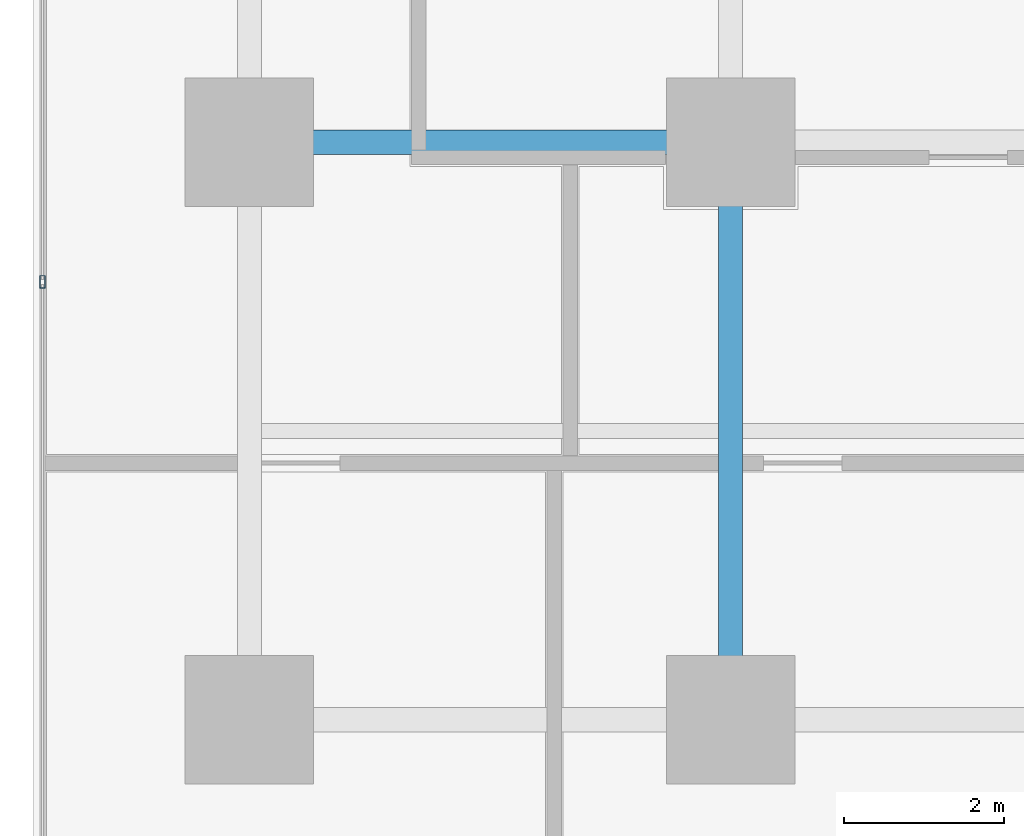
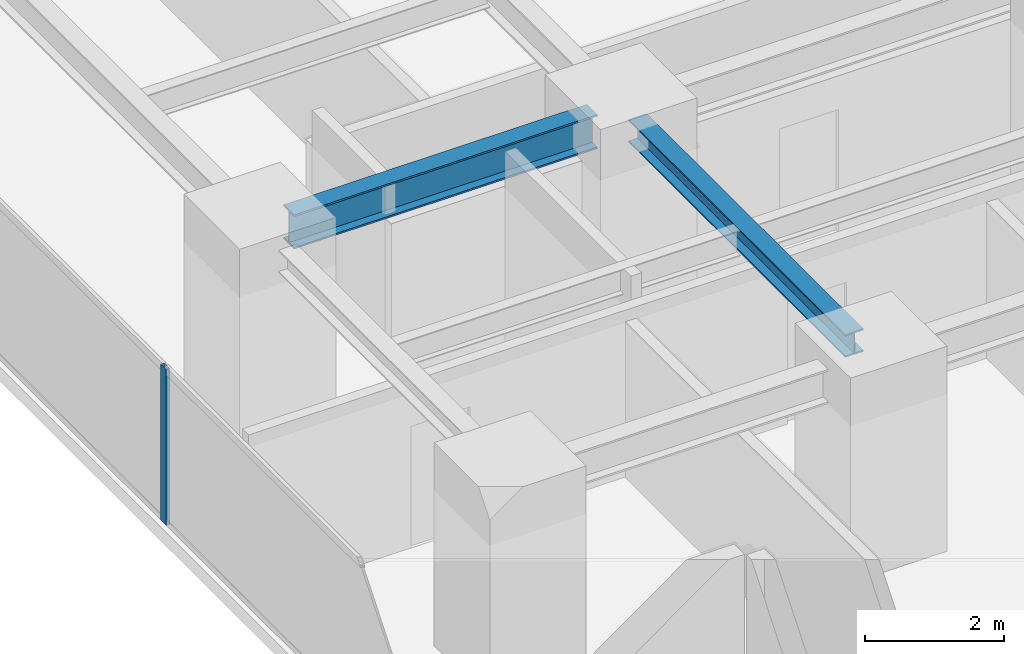
# One storey, part 4 of 36: 2 beams, 1 member, 1 element without a shape of its own.
"""IFC4 building model written with IfcOpenShell, lengths in metres."""

from ifc_helpers import new_model, si_unit, direction, frame, origin, origin_2d, place, context, subcontext, project, spatial, hollow_rectangle, i_section, extrude, source, transform, mapped, material, layer, layer_set, material_profile, profile_set, type_object, element, aggregate, save


model = new_model("IFC4")

# Units and contexts
model_context = context("Model", 3, precision=1e-05, world=origin(), true_north=direction((0.0, 1.0)))
body_context = subcontext(model_context, "Body", "Model", "MODEL_VIEW")
ifc_project = project(units=[si_unit("LENGTHUNIT", "METRE"), si_unit("AREAUNIT", "SQUARE_METRE"), si_unit("VOLUMEUNIT", "CUBIC_METRE"), si_unit("PLANEANGLEUNIT", "RADIAN"), si_unit("MASSUNIT", "GRAM", prefix="KILO")], contexts=[model_context])

# Site, building, storey
site_placement = place(None, origin())
site = spatial("IfcSite", under=ifc_project, at=site_placement, CompositionType="ELEMENT")
building_placement = place(site_placement, origin())
building = spatial("IfcBuilding", under=site, at=building_placement, Name="Sumidabori Civic Tower", CompositionType="ELEMENT")
storey_placement = place(building_placement, frame((0.0, 0.0, 113.60009765625)))
storey = spatial("IfcBuildingStorey", under=building, at=storey_placement, Name="L29", CompositionType="ELEMENT", Elevation=113.60009765625)

# Beams
ifc_material_1 = material(Name="Steel SN490", Category="steel")
ifc_material_profile_1 = material_profile(ifc_material_1, i_section(OverallWidth=0.300048828125, OverallDepth=0.60009765625, WebThickness=0.015380859375, FlangeThickness=0.030029296875, at=origin_2d()), Name="HE 600 B")
ifc_profile_set_1 = profile_set([ifc_material_profile_1], Name="Steel SN490")
beam_type_1 = type_object("IfcBeamType", Name="BM-GIRD-600", PredefinedType="BEAM", material=ifc_profile_set_1)
shared_shape_1 = source(origin(), body_context, "Body", "SweptSolid", [
    extrude(i_section(OverallWidth=0.300048828125, OverallDepth=0.60009765625, WebThickness=0.015380859375, FlangeThickness=0.030029296875, at=origin_2d()), origin(), (0.0, 0.0, 1.0), 5.0400390625),
])
beam_1_placement = place(storey_placement, frame((-22.320068359375, -10.800048828125, 3.059814453125), z_axis=(1.0, 0.0, 0.0), x_axis=(0.0, 1.0, 0.0)))
element("IfcBeam", 1, at=beam_1_placement, inside=storey, type_object=beam_type_1, Name="Primary Girder L29 GX-07", PredefinedType="BEAM", context=body_context, shape_type="MappedRepresentation", body=[
    mapped(shared_shape_1, transform((0.0, 0.0, 0.0), x_axis=(1.0, 0.0, 0.0), y_axis=(0.0, 1.0, 0.0), z_axis=(0.0, 0.0, 1.0), scale=1.0)),
])
ifc_material_profile_2 = material_profile(ifc_material_1, i_section(OverallWidth=0.300048828125, OverallDepth=0.39990234375, WebThickness=0.013427734375, FlangeThickness=0.02392578125, at=origin_2d()), Name="HE 400 B")
ifc_profile_set_2 = profile_set([ifc_material_profile_2], Name="Steel SN490")
beam_type_2 = type_object("IfcBeamType", Name="BM-GIRD-400", PredefinedType="BEAM", material=ifc_profile_set_2)
shared_shape_2 = source(origin(), body_context, "Body", "SweptSolid", [
    extrude(i_section(OverallWidth=0.300048828125, OverallDepth=0.39990234375, WebThickness=0.013427734375, FlangeThickness=0.02392578125, at=origin_2d()), origin(), (0.0, 0.0, 1.0), 6.239990234375),
])
beam_2_placement = place(storey_placement, frame((-16.800048828125, -17.52001953125, 3.159912109375), z_axis=(0.0, 1.0, 0.0), x_axis=(-1.0, 0.0, 0.0)))
element("IfcBeam", 2, at=beam_2_placement, inside=storey, type_object=beam_type_2, Name="Primary Girder L29 GY-25", PredefinedType="BEAM", context=body_context, shape_type="MappedRepresentation", body=[
    mapped(shared_shape_2, transform((0.0, 0.0, 0.0), x_axis=(1.0, 0.0, 0.0), y_axis=(0.0, 1.0, 0.0), z_axis=(0.0, 0.0, 1.0), scale=1.0)),
])

# Curtain wall, member
ifc_material_2 = material(Name="Anodised Bronze Aluminium AW-6063-T6", Category="aluminium")
ifc_layer = layer(ifc_material_2, 0.179931640625, Name="Anodised Bronze Aluminium AW-6063-T6")
ifc_layer_set = layer_set([ifc_layer], Name="Anodised Bronze Aluminium AW-6063-T6")
curtain_wall_type = type_object("IfcCurtainWallType", Name="CW-SYS-3", PredefinedType="NOTDEFINED", material=ifc_layer_set)
curtain_wall_placement = place(storey_placement, origin())
curtain_wall = element("IfcCurtainWall", 3, at=curtain_wall_placement, inside=storey, type_object=curtain_wall_type, Name="Curtain Wall CW:L29:R10", PredefinedType="NOTDEFINED")
ifc_material_profile_3 = material_profile(ifc_material_2, hollow_rectangle(XDim=0.06494140625, YDim=0.159912109375, WallThickness=0.0048828125, at=origin_2d()), Name="ALU MULLION 160x65")
ifc_profile_set_3 = profile_set([ifc_material_profile_3], Name="Anodised Bronze Aluminium AW-6063-T6")
member_type = type_object("IfcMemberType", Name="CW-MUL-160", PredefinedType="MULLION", material=ifc_profile_set_3)
shared_shape_3 = source(origin(), body_context, "Body", "SweptSolid", [
    extrude(hollow_rectangle(XDim=0.06494140625, YDim=0.159912109375, WallThickness=0.0048828125, at=origin_2d()), origin(), (0.0, 0.0, 1.0), 2.739990234375),
])
member_placement = place(storey_placement, frame((-25.3798828125, -12.5419921875, 0.0), z_axis=(0.0, 0.0, 1.0), x_axis=(1.0, 0.0, 0.0)))
member = element("IfcMember", 4, at=member_placement, type_object=member_type, Name="CW-3 mullion 5", PredefinedType="MULLION", context=body_context, shape_type="MappedRepresentation", body=[
    mapped(shared_shape_3, transform((0.0, 0.0, 0.0), x_axis=(1.0, 0.0, 0.0), y_axis=(0.0, 1.0, 0.0), z_axis=(0.0, 0.0, 1.0), scale=1.0)),
])
aggregate(curtain_wall, [member])

save(model, "model.ifc")
